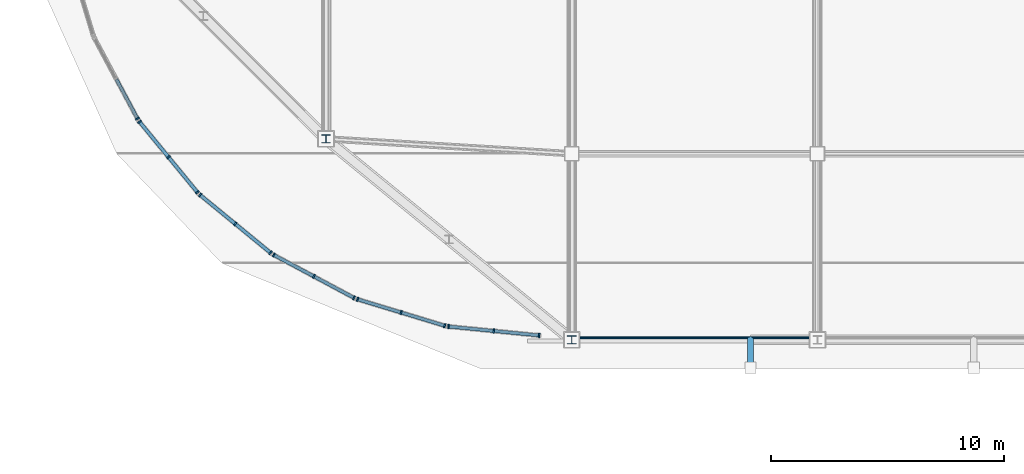
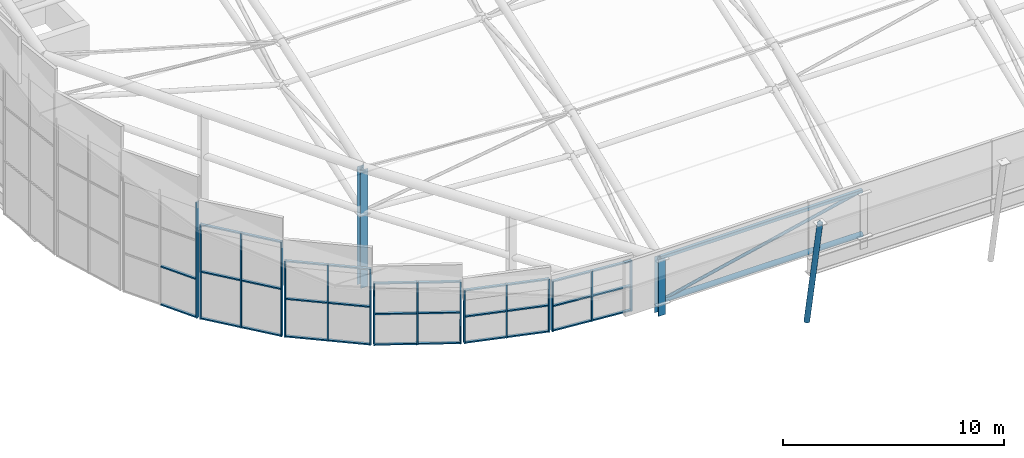
# One storey, part 1 of 42: 54 members, 6 elements without a shape of their own.
"""IFC4 building model written with IfcOpenShell, lengths in metres."""

from ifc_helpers import new_model, si_unit, direction, frame, origin, origin_2d, place, context, subcontext, project, spatial, rectangle, hollow_rectangle, hollow_circle, i_section, extrude, material, layer, layer_set, material_profile, profile_set, type_object, element, aggregate, save


model = new_model("IFC4")

# Units and contexts
model_context = context("Model", 3, precision=1e-05, world=origin(), true_north=direction((0.0, 1.0)))
body_context = subcontext(model_context, "Body", "Model", "MODEL_VIEW")
ifc_project = project(units=[si_unit("LENGTHUNIT", "METRE"), si_unit("AREAUNIT", "SQUARE_METRE"), si_unit("VOLUMEUNIT", "CUBIC_METRE"), si_unit("PLANEANGLEUNIT", "RADIAN"), si_unit("MASSUNIT", "GRAM", prefix="KILO")], contexts=[model_context])

# Site, building, storey
site_placement = place(None, origin())
site = spatial("IfcSite", under=ifc_project, at=site_placement, CompositionType="ELEMENT")
building_placement = place(site_placement, origin())
building = spatial("IfcBuilding", under=site, at=building_placement, Name="Caelomonte Colonnade Arena", CompositionType="ELEMENT")
storey_placement = place(building_placement, frame((0.0, 0.0, 28.199951171875)))
storey = spatial("IfcBuildingStorey", under=building, at=storey_placement, Name="RF", CompositionType="ELEMENT", Elevation=28.199951171875)

# Curtain wall, member
ifc_material_1 = material(Name="Bronze anodised aluminium and low-E glazing", Category="aluminium")
ifc_layer_1 = layer(ifc_material_1, 0.179931640625)
ifc_layer_set_1 = layer_set([ifc_layer_1], Name="Bronze anodised aluminium and low-E glazing")
curtain_wall_type_1 = type_object("IfcCurtainWallType", Name="ENV-CW-CW-TYMPC-03-64", PredefinedType="USERDEFINED", material=ifc_layer_set_1)
curtain_wall_1_placement = place(storey_placement, origin())
curtain_wall_1 = element("IfcCurtainWall", 1, at=curtain_wall_1_placement, inside=storey, type_object=curtain_wall_type_1, Name="Barrel arch rounded corner clerestory curtain wall 27", ObjectType="UNITIZED CURTAIN WALL", PredefinedType="USERDEFINED")
ifc_material_2 = material(Name="Bronze anodised aluminium AA6063-T6", Category="aluminium")
ifc_material_profile_1 = material_profile(ifc_material_2, rectangle(XDim=0.070068359375, YDim=0.179931640625, at=origin_2d()), Name="CWM-70X180")
ifc_profile_set_1 = profile_set([ifc_material_profile_1], Name="Bronze anodised aluminium AA6063-T6")
member_type_1 = type_object("IfcMemberType", Name="ENV-CW-MULL1", PredefinedType="MULLION", material=ifc_profile_set_1)
member_1_placement = place(storey_placement, frame((60.048583984375, 28.7080078125, -0.14990234375), z_axis=(0.0, 0.0, 1.0), x_axis=(0.471391087795, -0.881924283795, 0.0)))
member_1 = element("IfcMember", 2, at=member_1_placement, type_object=member_type_1, Name="CW-TYMPC-03-64 mullion 3", PredefinedType="MULLION", context=body_context, shape_type="SweptSolid", body=[
    extrude(rectangle(XDim=0.070068359375, YDim=0.179931640625, at=origin_2d()), origin(), (0.0, 0.0, 1.0), 6.40966796875),
])

# Curtain wall, members
ifc_layer_2 = layer(ifc_material_1, 0.179931640625)
ifc_layer_set_2 = layer_set([ifc_layer_2], Name="Bronze anodised aluminium and low-E glazing")
curtain_wall_type_2 = type_object("IfcCurtainWallType", Name="ENV-CW-CW-TYMPC-04-52", PredefinedType="USERDEFINED", material=ifc_layer_set_2)
curtain_wall_2_placement = place(storey_placement, origin())
curtain_wall_2 = element("IfcCurtainWall", 3, at=curtain_wall_2_placement, inside=storey, type_object=curtain_wall_type_2, Name="Barrel arch rounded corner clerestory curtain wall 28", ObjectType="UNITIZED CURTAIN WALL", PredefinedType="USERDEFINED")
member_2_placement = place(storey_placement, frame((60.142822265625, 28.567138671875, -0.14990234375), z_axis=(0.0, 0.0, 1.0), x_axis=(0.634405129694, -0.773000731835, 0.0)))
member_2 = element("IfcMember", 4, at=member_2_placement, type_object=member_type_1, Name="CW-TYMPC-04-52 mullion 1", PredefinedType="MULLION", context=body_context, shape_type="SweptSolid", body=[
    extrude(rectangle(XDim=0.070068359375, YDim=0.179931640625, at=origin_2d()), origin(), (0.0, 0.0, 1.0), 5.236083984375),
])
member_3_placement = place(storey_placement, frame((61.38330078125, 27.055419921875, -0.14990234375), z_axis=(0.0, 0.0, 1.0), x_axis=(0.634405129694, -0.773000731835, 0.0)))
member_3 = element("IfcMember", 5, at=member_3_placement, type_object=member_type_1, Name="CW-TYMPC-04-52 mullion 2", PredefinedType="MULLION", context=body_context, shape_type="SweptSolid", body=[
    extrude(rectangle(XDim=0.070068359375, YDim=0.179931640625, at=origin_2d()), origin(), (0.0, 0.0, 1.0), 5.236083984375),
])
member_4_placement = place(storey_placement, frame((62.6240234375, 25.543701171875, -0.14990234375), z_axis=(0.0, 0.0, 1.0), x_axis=(0.634405129694, -0.773000731835, 0.0)))
member_4 = element("IfcMember", 6, at=member_4_placement, type_object=member_type_1, Name="CW-TYMPC-04-52 mullion 3", PredefinedType="MULLION", context=body_context, shape_type="SweptSolid", body=[
    extrude(rectangle(XDim=0.070068359375, YDim=0.179931640625, at=origin_2d()), origin(), (0.0, 0.0, 1.0), 5.236083984375),
])

ifc_layer_3 = layer(ifc_material_1, 0.179931640625)
ifc_layer_set_3 = layer_set([ifc_layer_3], Name="Bronze anodised aluminium and low-E glazing")
curtain_wall_type_3 = type_object("IfcCurtainWallType", Name="ENV-CW-CW-TYMPC-04-42", PredefinedType="USERDEFINED", material=ifc_layer_set_3)
curtain_wall_3_placement = place(storey_placement, origin())
curtain_wall_3 = element("IfcCurtainWall", 7, at=curtain_wall_3_placement, inside=storey, type_object=curtain_wall_type_3, Name="Barrel arch rounded corner clerestory curtain wall 29", ObjectType="UNITIZED CURTAIN WALL", PredefinedType="USERDEFINED")
member_5_placement = place(storey_placement, frame((62.74365234375, 25.424072265625, -0.14990234375), z_axis=(0.0, 0.0, 1.0), x_axis=(0.773000731835, -0.634405129694, 0.0)))
member_5 = element("IfcMember", 8, at=member_5_placement, type_object=member_type_1, Name="CW-TYMPC-04-42 mullion 1", PredefinedType="MULLION", context=body_context, shape_type="SweptSolid", body=[
    extrude(rectangle(XDim=0.070068359375, YDim=0.179931640625, at=origin_2d()), origin(), (0.0, 0.0, 1.0), 4.222412109375),
])
member_6_placement = place(storey_placement, frame((64.255615234375, 24.183349609375, -0.14990234375), z_axis=(0.0, 0.0, 1.0), x_axis=(0.773000731835, -0.634405129694, 0.0)))
member_6 = element("IfcMember", 9, at=member_6_placement, type_object=member_type_1, Name="CW-TYMPC-04-42 mullion 2", PredefinedType="MULLION", context=body_context, shape_type="SweptSolid", body=[
    extrude(rectangle(XDim=0.070068359375, YDim=0.179931640625, at=origin_2d()), origin(), (0.0, 0.0, 1.0), 4.222412109375),
])
member_7_placement = place(storey_placement, frame((65.767333984375, 22.942626953125, -0.14990234375), z_axis=(0.0, 0.0, 1.0), x_axis=(0.773000731835, -0.634405129694, 0.0)))
member_7 = element("IfcMember", 10, at=member_7_placement, type_object=member_type_1, Name="CW-TYMPC-04-42 mullion 3", PredefinedType="MULLION", context=body_context, shape_type="SweptSolid", body=[
    extrude(rectangle(XDim=0.070068359375, YDim=0.179931640625, at=origin_2d()), origin(), (0.0, 0.0, 1.0), 4.222412109375),
])

ifc_layer_4 = layer(ifc_material_1, 0.179931640625)
ifc_layer_set_4 = layer_set([ifc_layer_4], Name="Bronze anodised aluminium and low-E glazing")
curtain_wall_type_4 = type_object("IfcCurtainWallType", Name="ENV-CW-CW-TYMPC-03-34", PredefinedType="USERDEFINED", material=ifc_layer_set_4)
curtain_wall_4_placement = place(storey_placement, origin())
curtain_wall_4 = element("IfcCurtainWall", 11, at=curtain_wall_4_placement, inside=storey, type_object=curtain_wall_type_4, Name="Barrel arch rounded corner clerestory curtain wall 30", ObjectType="UNITIZED CURTAIN WALL", PredefinedType="USERDEFINED")
member_8_placement = place(storey_placement, frame((65.907958984375, 22.8486328125, -0.14990234375), z_axis=(0.0, 0.0, 1.0), x_axis=(0.881924283795, -0.471391087795, 0.0)))
member_8 = element("IfcMember", 12, at=member_8_placement, type_object=member_type_1, Name="CW-TYMPC-03-34 mullion 1", PredefinedType="MULLION", context=body_context, shape_type="SweptSolid", body=[
    extrude(rectangle(XDim=0.070068359375, YDim=0.179931640625, at=origin_2d()), origin(), (0.0, 0.0, 1.0), 3.43994140625),
])
member_9_placement = place(storey_placement, frame((67.6328125, 21.9267578125, -0.14990234375), z_axis=(0.0, 0.0, 1.0), x_axis=(0.881924283795, -0.471391087795, 0.0)))
member_9 = element("IfcMember", 13, at=member_9_placement, type_object=member_type_1, Name="CW-TYMPC-03-34 mullion 2", PredefinedType="MULLION", context=body_context, shape_type="SweptSolid", body=[
    extrude(rectangle(XDim=0.070068359375, YDim=0.179931640625, at=origin_2d()), origin(), (0.0, 0.0, 1.0), 3.43994140625),
])
member_10_placement = place(storey_placement, frame((69.357421875, 21.0048828125, -0.14990234375), z_axis=(0.0, 0.0, 1.0), x_axis=(0.881924283795, -0.471391087795, 0.0)))
member_10 = element("IfcMember", 14, at=member_10_placement, type_object=member_type_1, Name="CW-TYMPC-03-34 mullion 3", PredefinedType="MULLION", context=body_context, shape_type="SweptSolid", body=[
    extrude(rectangle(XDim=0.070068359375, YDim=0.179931640625, at=origin_2d()), origin(), (0.0, 0.0, 1.0), 3.43994140625),
])

ifc_layer_5 = layer(ifc_material_1, 0.179931640625)
ifc_layer_set_5 = layer_set([ifc_layer_5], Name="Bronze anodised aluminium and low-E glazing")
curtain_wall_type_5 = type_object("IfcCurtainWallType", Name="ENV-CW-CW-TYMPC-02-29", PredefinedType="USERDEFINED", material=ifc_layer_set_5)
curtain_wall_5_placement = place(storey_placement, origin())
curtain_wall_5 = element("IfcCurtainWall", 15, at=curtain_wall_5_placement, inside=storey, type_object=curtain_wall_type_5, Name="Barrel arch rounded corner clerestory curtain wall 31", ObjectType="UNITIZED CURTAIN WALL", PredefinedType="USERDEFINED")
member_11_placement = place(storey_placement, frame((69.513671875, 20.940185546875, -0.14990234375), z_axis=(0.0, 0.0, 1.0), x_axis=(0.956945999811, -0.290266004632, 0.0)))
member_11 = element("IfcMember", 16, at=member_11_placement, type_object=member_type_1, Name="CW-TYMPC-02-29 mullion 1", PredefinedType="MULLION", context=body_context, shape_type="SweptSolid", body=[
    extrude(rectangle(XDim=0.070068359375, YDim=0.179931640625, at=origin_2d()), origin(), (0.0, 0.0, 1.0), 2.945556640625),
])
member_12_placement = place(storey_placement, frame((71.38525390625, 20.37255859375, -0.14990234375), z_axis=(0.0, 0.0, 1.0), x_axis=(0.956945999811, -0.290266004632, 0.0)))
member_12 = element("IfcMember", 17, at=member_12_placement, type_object=member_type_1, Name="CW-TYMPC-02-29 mullion 2", PredefinedType="MULLION", context=body_context, shape_type="SweptSolid", body=[
    extrude(rectangle(XDim=0.070068359375, YDim=0.179931640625, at=origin_2d()), origin(), (0.0, 0.0, 1.0), 2.945556640625),
])
member_13_placement = place(storey_placement, frame((73.2568359375, 19.8046875, -0.14990234375), z_axis=(0.0, 0.0, 1.0), x_axis=(0.956945999811, -0.290266004632, 0.0)))
member_13 = element("IfcMember", 18, at=member_13_placement, type_object=member_type_1, Name="CW-TYMPC-02-29 mullion 3", PredefinedType="MULLION", context=body_context, shape_type="SweptSolid", body=[
    extrude(rectangle(XDim=0.070068359375, YDim=0.179931640625, at=origin_2d()), origin(), (0.0, 0.0, 1.0), 2.945556640625),
])

ifc_layer_6 = layer(ifc_material_1, 0.179931640625)
ifc_layer_set_6 = layer_set([ifc_layer_6], Name="Bronze anodised aluminium and low-E glazing")
curtain_wall_type_6 = type_object("IfcCurtainWallType", Name="ENV-CW-CW-TYMPC-01-28", PredefinedType="USERDEFINED", material=ifc_layer_set_6)
curtain_wall_6_placement = place(storey_placement, origin())
curtain_wall_6 = element("IfcCurtainWall", 19, at=curtain_wall_6_placement, inside=storey, type_object=curtain_wall_type_6, Name="Barrel arch rounded corner clerestory curtain wall 32", ObjectType="UNITIZED CURTAIN WALL", PredefinedType="USERDEFINED")
member_14_placement = place(storey_placement, frame((73.4228515625, 19.771728515625, -0.14990234375), z_axis=(0.0, 0.0, 1.0), x_axis=(0.995183320356, -0.098031417843, 0.0)))
member_14 = element("IfcMember", 20, at=member_14_placement, type_object=member_type_1, Name="CW-TYMPC-01-28 mullion 1", PredefinedType="MULLION", context=body_context, shape_type="SweptSolid", body=[
    extrude(rectangle(XDim=0.070068359375, YDim=0.179931640625, at=origin_2d()), origin(), (0.0, 0.0, 1.0), 2.7763671875),
])
member_15_placement = place(storey_placement, frame((75.369140625, 19.580078125, -0.14990234375), z_axis=(0.0, 0.0, 1.0), x_axis=(0.995183320356, -0.098031417843, 0.0)))
member_15 = element("IfcMember", 21, at=member_15_placement, type_object=member_type_1, Name="CW-TYMPC-01-28 mullion 2", PredefinedType="MULLION", context=body_context, shape_type="SweptSolid", body=[
    extrude(rectangle(XDim=0.070068359375, YDim=0.179931640625, at=origin_2d()), origin(), (0.0, 0.0, 1.0), 2.7763671875),
])
member_16_placement = place(storey_placement, frame((77.3154296875, 19.388427734375, -0.14990234375), z_axis=(0.0, 0.0, 1.0), x_axis=(0.995183320356, -0.098031417843, 0.0)))
member_16 = element("IfcMember", 22, at=member_16_placement, type_object=member_type_1, Name="CW-TYMPC-01-28 mullion 3", PredefinedType="MULLION", context=body_context, shape_type="SweptSolid", body=[
    extrude(rectangle(XDim=0.070068359375, YDim=0.179931640625, at=origin_2d()), origin(), (0.0, 0.0, 1.0), 2.7763671875),
])

# Member
ifc_material_profile_2 = material_profile(ifc_material_2, rectangle(XDim=0.070068359375, YDim=0.139892578125, at=origin_2d()), Name="CWT-70X140")
ifc_profile_set_2 = profile_set([ifc_material_profile_2], Name="Bronze anodised aluminium AA6063-T6")
member_type_2 = type_object("IfcMemberType", Name="ENV-CW-TRAN1", PredefinedType="USERDEFINED", material=ifc_profile_set_2)
member_17_placement = place(storey_placement, frame((59.143310546875, 30.40185546875, -0.114990234375), z_axis=(0.471387688347, -0.881926100802, 0.0), x_axis=(0.0, 0.0, 1.0)))
member_17 = element("IfcMember", 23, at=member_17_placement, type_object=member_type_2, Name="CW-TYMPC-03-64 transom 2.1", ObjectType="TRANSOM", PredefinedType="USERDEFINED", context=body_context, shape_type="SweptSolid", body=[
    extrude(rectangle(XDim=0.070068359375, YDim=0.139892578125, at=origin_2d()), origin(), (0.0, 0.0, 1.0), 1.8857421875),
])

member_18_placement = place(storey_placement, frame((59.143310546875, 30.40185546875, 1.986572265625), z_axis=(0.471387688347, -0.881926100802, 0.0), x_axis=(0.0, 0.0, 1.0)))
member_18 = element("IfcMember", 24, at=member_18_placement, type_object=member_type_2, Name="CW-TYMPC-03-64 transom 2.2", ObjectType="TRANSOM", PredefinedType="USERDEFINED", context=body_context, shape_type="SweptSolid", body=[
    extrude(rectangle(XDim=0.070068359375, YDim=0.139892578125, at=origin_2d()), origin(), (0.0, 0.0, 1.0), 1.8857421875),
])

aggregate(curtain_wall_1, [member_1, member_17, member_18])

member_19_placement = place(storey_placement, frame((60.164794921875, 28.540283203125, -0.114990234375), z_axis=(0.63437215989, -0.773027789123, 0.0), x_axis=(0.0, 0.0, 1.0)))
member_19 = element("IfcMember", 25, at=member_19_placement, type_object=member_type_2, Name="CW-TYMPC-04-52 transom 1.1", ObjectType="TRANSOM", PredefinedType="USERDEFINED", context=body_context, shape_type="SweptSolid", body=[
    extrude(rectangle(XDim=0.070068359375, YDim=0.139892578125, at=origin_2d()), origin(), (0.0, 0.0, 1.0), 1.8857421875),
])

member_20_placement = place(storey_placement, frame((60.164794921875, 28.540283203125, 2.46826171875), z_axis=(0.63437215989, -0.773027789123, 0.0), x_axis=(0.0, 0.0, 1.0)))
member_20 = element("IfcMember", 26, at=member_20_placement, type_object=member_type_2, Name="CW-TYMPC-04-52 transom 1.2", ObjectType="TRANSOM", PredefinedType="USERDEFINED", context=body_context, shape_type="SweptSolid", body=[
    extrude(rectangle(XDim=0.070068359375, YDim=0.139892578125, at=origin_2d()), origin(), (0.0, 0.0, 1.0), 1.8857421875),
])

member_21_placement = place(storey_placement, frame((60.164794921875, 28.540283203125, 5.05126953125), z_axis=(0.63437215989, -0.773027789123, 0.0), x_axis=(0.0, 0.0, 1.0)))
member_21 = element("IfcMember", 27, at=member_21_placement, type_object=member_type_2, Name="CW-TYMPC-04-52 transom 1.3", ObjectType="TRANSOM", PredefinedType="USERDEFINED", context=body_context, shape_type="SweptSolid", body=[
    extrude(rectangle(XDim=0.070068359375, YDim=0.139892578125, at=origin_2d()), origin(), (0.0, 0.0, 1.0), 1.8857421875),
])

member_22_placement = place(storey_placement, frame((61.405517578125, 27.028564453125, -0.114990234375), z_axis=(0.63437215989, -0.773027789123, 0.0), x_axis=(0.0, 0.0, 1.0)))
member_22 = element("IfcMember", 28, at=member_22_placement, type_object=member_type_2, Name="CW-TYMPC-04-52 transom 2.1", ObjectType="TRANSOM", PredefinedType="USERDEFINED", context=body_context, shape_type="SweptSolid", body=[
    extrude(rectangle(XDim=0.070068359375, YDim=0.139892578125, at=origin_2d()), origin(), (0.0, 0.0, 1.0), 1.8857421875),
])

member_23_placement = place(storey_placement, frame((61.405517578125, 27.028564453125, 2.46826171875), z_axis=(0.63437215989, -0.773027789123, 0.0), x_axis=(0.0, 0.0, 1.0)))
member_23 = element("IfcMember", 29, at=member_23_placement, type_object=member_type_2, Name="CW-TYMPC-04-52 transom 2.2", ObjectType="TRANSOM", PredefinedType="USERDEFINED", context=body_context, shape_type="SweptSolid", body=[
    extrude(rectangle(XDim=0.070068359375, YDim=0.139892578125, at=origin_2d()), origin(), (0.0, 0.0, 1.0), 1.8857421875),
])

member_24_placement = place(storey_placement, frame((61.405517578125, 27.028564453125, 5.05126953125), z_axis=(0.63437215989, -0.773027789123, 0.0), x_axis=(0.0, 0.0, 1.0)))
member_24 = element("IfcMember", 30, at=member_24_placement, type_object=member_type_2, Name="CW-TYMPC-04-52 transom 2.3", ObjectType="TRANSOM", PredefinedType="USERDEFINED", context=body_context, shape_type="SweptSolid", body=[
    extrude(rectangle(XDim=0.070068359375, YDim=0.139892578125, at=origin_2d()), origin(), (0.0, 0.0, 1.0), 1.8857421875),
])

aggregate(curtain_wall_2, [member_2, member_3, member_4, member_19, member_20, member_21, member_22, member_23, member_24])

member_25_placement = place(storey_placement, frame((62.770751953125, 25.40185546875, -0.114990234375), z_axis=(0.773027789123, -0.63437215989, 0.0), x_axis=(0.0, 0.0, 1.0)))
member_25 = element("IfcMember", 31, at=member_25_placement, type_object=member_type_2, Name="CW-TYMPC-04-42 transom 1.1", ObjectType="TRANSOM", PredefinedType="USERDEFINED", context=body_context, shape_type="SweptSolid", body=[
    extrude(rectangle(XDim=0.070068359375, YDim=0.139892578125, at=origin_2d()), origin(), (0.0, 0.0, 1.0), 1.8857421875),
])

member_26_placement = place(storey_placement, frame((62.770751953125, 25.40185546875, 1.96142578125), z_axis=(0.773027789123, -0.63437215989, 0.0), x_axis=(0.0, 0.0, 1.0)))
member_26 = element("IfcMember", 32, at=member_26_placement, type_object=member_type_2, Name="CW-TYMPC-04-42 transom 1.2", ObjectType="TRANSOM", PredefinedType="USERDEFINED", context=body_context, shape_type="SweptSolid", body=[
    extrude(rectangle(XDim=0.070068359375, YDim=0.139892578125, at=origin_2d()), origin(), (0.0, 0.0, 1.0), 1.8857421875),
])

member_27_placement = place(storey_placement, frame((62.770751953125, 25.40185546875, 4.03759765625), z_axis=(0.773027789123, -0.63437215989, 0.0), x_axis=(0.0, 0.0, 1.0)))
member_27 = element("IfcMember", 33, at=member_27_placement, type_object=member_type_2, Name="CW-TYMPC-04-42 transom 1.3", ObjectType="TRANSOM", PredefinedType="USERDEFINED", context=body_context, shape_type="SweptSolid", body=[
    extrude(rectangle(XDim=0.070068359375, YDim=0.139892578125, at=origin_2d()), origin(), (0.0, 0.0, 1.0), 1.8857421875),
])

member_28_placement = place(storey_placement, frame((64.282470703125, 24.1611328125, -0.114990234375), z_axis=(0.773027789123, -0.63437215989, 0.0), x_axis=(0.0, 0.0, 1.0)))
member_28 = element("IfcMember", 34, at=member_28_placement, type_object=member_type_2, Name="CW-TYMPC-04-42 transom 2.1", ObjectType="TRANSOM", PredefinedType="USERDEFINED", context=body_context, shape_type="SweptSolid", body=[
    extrude(rectangle(XDim=0.070068359375, YDim=0.139892578125, at=origin_2d()), origin(), (0.0, 0.0, 1.0), 1.8857421875),
])

member_29_placement = place(storey_placement, frame((64.282470703125, 24.1611328125, 1.96142578125), z_axis=(0.773027789123, -0.63437215989, 0.0), x_axis=(0.0, 0.0, 1.0)))
member_29 = element("IfcMember", 35, at=member_29_placement, type_object=member_type_2, Name="CW-TYMPC-04-42 transom 2.2", ObjectType="TRANSOM", PredefinedType="USERDEFINED", context=body_context, shape_type="SweptSolid", body=[
    extrude(rectangle(XDim=0.070068359375, YDim=0.139892578125, at=origin_2d()), origin(), (0.0, 0.0, 1.0), 1.8857421875),
])

member_30_placement = place(storey_placement, frame((64.282470703125, 24.1611328125, 4.03759765625), z_axis=(0.773027789123, -0.63437215989, 0.0), x_axis=(0.0, 0.0, 1.0)))
member_30 = element("IfcMember", 36, at=member_30_placement, type_object=member_type_2, Name="CW-TYMPC-04-42 transom 2.3", ObjectType="TRANSOM", PredefinedType="USERDEFINED", context=body_context, shape_type="SweptSolid", body=[
    extrude(rectangle(XDim=0.070068359375, YDim=0.139892578125, at=origin_2d()), origin(), (0.0, 0.0, 1.0), 1.8857421875),
])

aggregate(curtain_wall_3, [member_5, member_6, member_7, member_25, member_26, member_27, member_28, member_29, member_30])

member_31_placement = place(storey_placement, frame((65.938720703125, 22.832275390625, -0.114990234375), z_axis=(0.881926100802, -0.471387688347, 0.0), x_axis=(0.0, 0.0, 1.0)))
member_31 = element("IfcMember", 37, at=member_31_placement, type_object=member_type_2, Name="CW-TYMPC-03-34 transom 1.1", ObjectType="TRANSOM", PredefinedType="USERDEFINED", context=body_context, shape_type="SweptSolid", body=[
    extrude(rectangle(XDim=0.070068359375, YDim=0.139892578125, at=origin_2d()), origin(), (0.0, 0.0, 1.0), 1.8857421875),
])

member_32_placement = place(storey_placement, frame((65.938720703125, 22.832275390625, 1.570068359375), z_axis=(0.881926100802, -0.471387688347, 0.0), x_axis=(0.0, 0.0, 1.0)))
member_32 = element("IfcMember", 38, at=member_32_placement, type_object=member_type_2, Name="CW-TYMPC-03-34 transom 1.2", ObjectType="TRANSOM", PredefinedType="USERDEFINED", context=body_context, shape_type="SweptSolid", body=[
    extrude(rectangle(XDim=0.070068359375, YDim=0.139892578125, at=origin_2d()), origin(), (0.0, 0.0, 1.0), 1.8857421875),
])

member_33_placement = place(storey_placement, frame((65.938720703125, 22.832275390625, 3.2548828125), z_axis=(0.881926100802, -0.471387688347, 0.0), x_axis=(0.0, 0.0, 1.0)))
member_33 = element("IfcMember", 39, at=member_33_placement, type_object=member_type_2, Name="CW-TYMPC-03-34 transom 1.3", ObjectType="TRANSOM", PredefinedType="USERDEFINED", context=body_context, shape_type="SweptSolid", body=[
    extrude(rectangle(XDim=0.070068359375, YDim=0.139892578125, at=origin_2d()), origin(), (0.0, 0.0, 1.0), 1.8857421875),
])

member_34_placement = place(storey_placement, frame((67.66357421875, 21.910400390625, -0.114990234375), z_axis=(0.881926100802, -0.471387688347, 0.0), x_axis=(0.0, 0.0, 1.0)))
member_34 = element("IfcMember", 40, at=member_34_placement, type_object=member_type_2, Name="CW-TYMPC-03-34 transom 2.1", ObjectType="TRANSOM", PredefinedType="USERDEFINED", context=body_context, shape_type="SweptSolid", body=[
    extrude(rectangle(XDim=0.070068359375, YDim=0.139892578125, at=origin_2d()), origin(), (0.0, 0.0, 1.0), 1.8857421875),
])

member_35_placement = place(storey_placement, frame((67.66357421875, 21.910400390625, 1.570068359375), z_axis=(0.881926100802, -0.471387688347, 0.0), x_axis=(0.0, 0.0, 1.0)))
member_35 = element("IfcMember", 41, at=member_35_placement, type_object=member_type_2, Name="CW-TYMPC-03-34 transom 2.2", ObjectType="TRANSOM", PredefinedType="USERDEFINED", context=body_context, shape_type="SweptSolid", body=[
    extrude(rectangle(XDim=0.070068359375, YDim=0.139892578125, at=origin_2d()), origin(), (0.0, 0.0, 1.0), 1.8857421875),
])

member_36_placement = place(storey_placement, frame((67.66357421875, 21.910400390625, 3.2548828125), z_axis=(0.881926100802, -0.471387688347, 0.0), x_axis=(0.0, 0.0, 1.0)))
member_36 = element("IfcMember", 42, at=member_36_placement, type_object=member_type_2, Name="CW-TYMPC-03-34 transom 2.3", ObjectType="TRANSOM", PredefinedType="USERDEFINED", context=body_context, shape_type="SweptSolid", body=[
    extrude(rectangle(XDim=0.070068359375, YDim=0.139892578125, at=origin_2d()), origin(), (0.0, 0.0, 1.0), 1.8857421875),
])

aggregate(curtain_wall_4, [member_8, member_9, member_10, member_31, member_32, member_33, member_34, member_35, member_36])

member_37_placement = place(storey_placement, frame((69.54736328125, 20.929931640625, -0.114990234375), z_axis=(0.956941606706, -0.290280487381, 0.0), x_axis=(0.0, 0.0, 1.0)))
member_37 = element("IfcMember", 43, at=member_37_placement, type_object=member_type_2, Name="CW-TYMPC-02-29 transom 1.1", ObjectType="TRANSOM", PredefinedType="USERDEFINED", context=body_context, shape_type="SweptSolid", body=[
    extrude(rectangle(XDim=0.070068359375, YDim=0.139892578125, at=origin_2d()), origin(), (0.0, 0.0, 1.0), 1.8857421875),
])

member_38_placement = place(storey_placement, frame((69.54736328125, 20.929931640625, 1.32275390625), z_axis=(0.956941606706, -0.290280487381, 0.0), x_axis=(0.0, 0.0, 1.0)))
member_38 = element("IfcMember", 44, at=member_38_placement, type_object=member_type_2, Name="CW-TYMPC-02-29 transom 1.2", ObjectType="TRANSOM", PredefinedType="USERDEFINED", context=body_context, shape_type="SweptSolid", body=[
    extrude(rectangle(XDim=0.070068359375, YDim=0.139892578125, at=origin_2d()), origin(), (0.0, 0.0, 1.0), 1.8857421875),
])

member_39_placement = place(storey_placement, frame((69.54736328125, 20.929931640625, 2.760498046875), z_axis=(0.956941606706, -0.290280487381, 0.0), x_axis=(0.0, 0.0, 1.0)))
member_39 = element("IfcMember", 45, at=member_39_placement, type_object=member_type_2, Name="CW-TYMPC-02-29 transom 1.3", ObjectType="TRANSOM", PredefinedType="USERDEFINED", context=body_context, shape_type="SweptSolid", body=[
    extrude(rectangle(XDim=0.070068359375, YDim=0.139892578125, at=origin_2d()), origin(), (0.0, 0.0, 1.0), 1.8857421875),
])

member_40_placement = place(storey_placement, frame((71.4189453125, 20.3623046875, -0.114990234375), z_axis=(0.956941606706, -0.290280487381, 0.0), x_axis=(0.0, 0.0, 1.0)))
member_40 = element("IfcMember", 46, at=member_40_placement, type_object=member_type_2, Name="CW-TYMPC-02-29 transom 2.1", ObjectType="TRANSOM", PredefinedType="USERDEFINED", context=body_context, shape_type="SweptSolid", body=[
    extrude(rectangle(XDim=0.070068359375, YDim=0.139892578125, at=origin_2d()), origin(), (0.0, 0.0, 1.0), 1.8857421875),
])

member_41_placement = place(storey_placement, frame((71.4189453125, 20.3623046875, 1.32275390625), z_axis=(0.956941606706, -0.290280487381, 0.0), x_axis=(0.0, 0.0, 1.0)))
member_41 = element("IfcMember", 47, at=member_41_placement, type_object=member_type_2, Name="CW-TYMPC-02-29 transom 2.2", ObjectType="TRANSOM", PredefinedType="USERDEFINED", context=body_context, shape_type="SweptSolid", body=[
    extrude(rectangle(XDim=0.070068359375, YDim=0.139892578125, at=origin_2d()), origin(), (0.0, 0.0, 1.0), 1.8857421875),
])

member_42_placement = place(storey_placement, frame((71.4189453125, 20.3623046875, 2.760498046875), z_axis=(0.956941606706, -0.290280487381, 0.0), x_axis=(0.0, 0.0, 1.0)))
member_42 = element("IfcMember", 48, at=member_42_placement, type_object=member_type_2, Name="CW-TYMPC-02-29 transom 2.3", ObjectType="TRANSOM", PredefinedType="USERDEFINED", context=body_context, shape_type="SweptSolid", body=[
    extrude(rectangle(XDim=0.070068359375, YDim=0.139892578125, at=origin_2d()), origin(), (0.0, 0.0, 1.0), 1.8857421875),
])

aggregate(curtain_wall_5, [member_11, member_12, member_13, member_37, member_38, member_39, member_40, member_41, member_42])

member_43_placement = place(storey_placement, frame((73.457763671875, 19.768310546875, -0.114990234375), z_axis=(0.995184788891, -0.098016508612, 0.0), x_axis=(0.0, 0.0, 1.0)))
member_43 = element("IfcMember", 49, at=member_43_placement, type_object=member_type_2, Name="CW-TYMPC-01-28 transom 1.1", ObjectType="TRANSOM", PredefinedType="USERDEFINED", context=body_context, shape_type="SweptSolid", body=[
    extrude(rectangle(XDim=0.070068359375, YDim=0.139892578125, at=origin_2d()), origin(), (0.0, 0.0, 1.0), 1.885498046875),
])

member_44_placement = place(storey_placement, frame((73.457763671875, 19.768310546875, 1.23828125), z_axis=(0.995184788891, -0.098016508612, 0.0), x_axis=(0.0, 0.0, 1.0)))
member_44 = element("IfcMember", 50, at=member_44_placement, type_object=member_type_2, Name="CW-TYMPC-01-28 transom 1.2", ObjectType="TRANSOM", PredefinedType="USERDEFINED", context=body_context, shape_type="SweptSolid", body=[
    extrude(rectangle(XDim=0.070068359375, YDim=0.139892578125, at=origin_2d()), origin(), (0.0, 0.0, 1.0), 1.885498046875),
])

member_45_placement = place(storey_placement, frame((73.457763671875, 19.768310546875, 2.591552734375), z_axis=(0.995184788891, -0.098016508612, 0.0), x_axis=(0.0, 0.0, 1.0)))
member_45 = element("IfcMember", 51, at=member_45_placement, type_object=member_type_2, Name="CW-TYMPC-01-28 transom 1.3", ObjectType="TRANSOM", PredefinedType="USERDEFINED", context=body_context, shape_type="SweptSolid", body=[
    extrude(rectangle(XDim=0.070068359375, YDim=0.139892578125, at=origin_2d()), origin(), (0.0, 0.0, 1.0), 1.885498046875),
])

member_46_placement = place(storey_placement, frame((75.404052734375, 19.57666015625, -0.114990234375), z_axis=(0.995184788891, -0.098016508612, 0.0), x_axis=(0.0, 0.0, 1.0)))
member_46 = element("IfcMember", 52, at=member_46_placement, type_object=member_type_2, Name="CW-TYMPC-01-28 transom 2.1", ObjectType="TRANSOM", PredefinedType="USERDEFINED", context=body_context, shape_type="SweptSolid", body=[
    extrude(rectangle(XDim=0.070068359375, YDim=0.139892578125, at=origin_2d()), origin(), (0.0, 0.0, 1.0), 1.885498046875),
])

member_47_placement = place(storey_placement, frame((75.404052734375, 19.57666015625, 1.23828125), z_axis=(0.995184788891, -0.098016508612, 0.0), x_axis=(0.0, 0.0, 1.0)))
member_47 = element("IfcMember", 53, at=member_47_placement, type_object=member_type_2, Name="CW-TYMPC-01-28 transom 2.2", ObjectType="TRANSOM", PredefinedType="USERDEFINED", context=body_context, shape_type="SweptSolid", body=[
    extrude(rectangle(XDim=0.070068359375, YDim=0.139892578125, at=origin_2d()), origin(), (0.0, 0.0, 1.0), 1.885498046875),
])

member_48_placement = place(storey_placement, frame((75.404052734375, 19.57666015625, 2.591552734375), z_axis=(0.995184788891, -0.098016508612, 0.0), x_axis=(0.0, 0.0, 1.0)))
member_48 = element("IfcMember", 54, at=member_48_placement, type_object=member_type_2, Name="CW-TYMPC-01-28 transom 2.3", ObjectType="TRANSOM", PredefinedType="USERDEFINED", context=body_context, shape_type="SweptSolid", body=[
    extrude(rectangle(XDim=0.070068359375, YDim=0.139892578125, at=origin_2d()), origin(), (0.0, 0.0, 1.0), 1.885498046875),
])

aggregate(curtain_wall_6, [member_14, member_15, member_16, member_43, member_44, member_45, member_46, member_47, member_48])

# Members
ifc_material_3 = material(Name="Wide-flange steel ASTM A992 Grade 50", Category="steel")
ifc_material_profile_3 = material_profile(ifc_material_3, i_section(OverallWidth=0.368896484375, OverallDepth=0.356201171875, WebThickness=0.01123046875, FlangeThickness=0.01806640625, FilletRadius=0.01513671875, at=origin_2d()), Name="W14X90")
ifc_profile_set_3 = profile_set([ifc_material_profile_3], Name="Wide-flange steel ASTM A992 Grade 50")
member_type_3 = type_object("IfcMemberType", Name="STR-CAT-STR", PredefinedType="STRUT", material=ifc_profile_set_3)
member_49_placement = place(storey_placement, frame((68.159912109375, 27.840087890625, -0.699951171875), z_axis=(0.0, 0.0, 1.0), x_axis=(1.0, 0.0, 0.0)))
element("IfcMember", 55, at=member_49_placement, inside=storey, type_object=member_type_3, Name="Roof truss eaves bearing post 1-1", PredefinedType="STRUT", context=body_context, shape_type="SweptSolid", body=[
    extrude(i_section(OverallWidth=0.368896484375, OverallDepth=0.356201171875, WebThickness=0.01123046875, FlangeThickness=0.01806640625, FilletRadius=0.01513671875, at=origin_2d()), origin(), (0.0, 0.0, 1.0), 6.52099609375),
])
member_50_placement = place(storey_placement, frame((78.719970703125, 19.199951171875, -0.699951171875), z_axis=(0.0, 0.0, 1.0), x_axis=(1.0, 0.0, 0.0)))
element("IfcMember", 56, at=member_50_placement, inside=storey, type_object=member_type_3, Name="Roof truss eaves bearing post 2-0", PredefinedType="STRUT", context=body_context, shape_type="SweptSolid", body=[
    extrude(i_section(OverallWidth=0.368896484375, OverallDepth=0.356201171875, WebThickness=0.01123046875, FlangeThickness=0.01806640625, FilletRadius=0.01513671875, at=origin_2d()), origin(), (0.0, 0.0, 1.0), 3.10009765625),
])
ifc_material_4 = material(Name="Steel ASTM A500 Grade C", Category="steel")
ifc_material_profile_4 = material_profile(ifc_material_4, hollow_rectangle(XDim=0.177734375, YDim=0.177734375, WallThickness=0.008056640625, InnerFilletRadius=0.008056640625, OuterFilletRadius=0.01611328125, at=origin_2d()), Name="HSS178X178X8.0")
ifc_profile_set_4 = profile_set([ifc_material_profile_4], Name="Steel ASTM A500 Grade C")
member_type_4 = type_object("IfcMemberType", Name="STR-SF-PUR1", PredefinedType="PURLIN", material=ifc_profile_set_4)
member_51_placement = place(storey_placement, frame((78.721923828125, 19.199951171875, 2.400146484375), z_axis=(1.0, 0.0, 0.0), x_axis=(0.0, 1.0, 0.0)))
element("IfcMember", 57, at=member_51_placement, inside=storey, type_object=member_type_4, Name="Arched roof purlin 2-0", PredefinedType="PURLIN", context=body_context, shape_type="SweptSolid", body=[
    extrude(hollow_rectangle(XDim=0.177734375, YDim=0.177734375, WallThickness=0.008056640625, InnerFilletRadius=0.008056640625, OuterFilletRadius=0.01611328125, at=origin_2d()), origin(), (0.0, 0.0, 1.0), 10.55615234375),
])
ifc_material_profile_5 = material_profile(ifc_material_4, hollow_circle(Radius=0.136474609375, WallThickness=0.00927734375, at=origin_2d()), Name="CHS273.0X9.3")
ifc_profile_set_5 = profile_set([ifc_material_profile_5], Name="Steel ASTM A500 Grade C")
member_type_5 = type_object("IfcMemberType", Name="STR-SF-TIE", PredefinedType="STRUT", material=ifc_profile_set_5)
member_52_placement = place(storey_placement, frame((78.721923828125, 19.199951171875, 0.0), z_axis=(1.0, 0.0, 0.0), x_axis=(0.0, 1.0, 0.0)))
element("IfcMember", 58, at=member_52_placement, inside=storey, type_object=member_type_5, Name="Space frame roof tie strut 2-0", PredefinedType="STRUT", context=body_context, shape_type="SweptSolid", body=[
    extrude(hollow_circle(Radius=0.136474609375, WallThickness=0.00927734375, at=origin_2d()), origin(), (0.0, 0.0, 1.0), 10.55615234375),
])
member_53_placement = place(storey_placement, frame((86.39990234375, 19.19970703125, -3.7978515625), z_axis=(0.0, -0.19151035942, 0.981490592026), x_axis=(1.0, 0.0, 0.0)))
element("IfcMember", 59, at=member_53_placement, inside=storey, type_object=member_type_5, Name="Roof eaves overhang inclined strut 11", PredefinedType="STRUT", context=body_context, shape_type="SweptSolid", body=[
    extrude(hollow_circle(Radius=0.136474609375, WallThickness=0.00927734375, at=origin_2d()), origin(), (0.0, 0.0, 1.0), 6.261962890625),
])
ifc_material_profile_6 = material_profile(ifc_material_4, hollow_circle(Radius=0.084228515625, WallThickness=0.007080078125, at=origin_2d()), Name="CHS168.3X7.1")
ifc_profile_set_6 = profile_set([ifc_material_profile_6], Name="Steel ASTM A500 Grade C")
member_type_6 = type_object("IfcMemberType", Name="STR-SF-WEB2", PredefinedType="BRACE", material=ifc_profile_set_6)
member_54_placement = place(storey_placement, frame((78.721923828125, 19.199951171875, 0.00048828125), z_axis=(0.975131969628, 0.0, 0.221625002672), x_axis=(0.0, 1.0, 0.0)))
element("IfcMember", 60, at=member_54_placement, inside=storey, type_object=member_type_6, Name="Space frame transverse diagonal 2-0", PredefinedType="BRACE", context=body_context, shape_type="SweptSolid", body=[
    extrude(hollow_circle(Radius=0.084228515625, WallThickness=0.007080078125, at=origin_2d()), origin(), (0.0, 0.0, 1.0), 10.825439453125),
])

save(model, "model.ifc")
